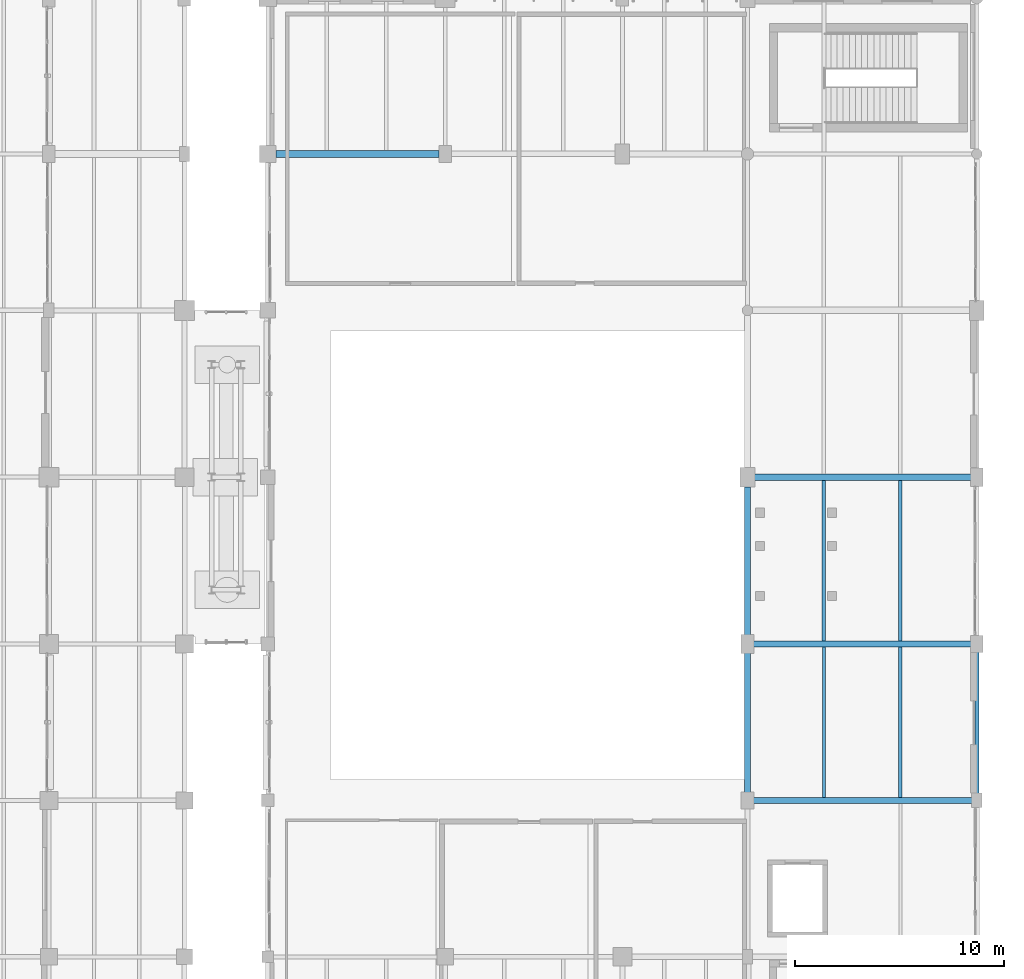
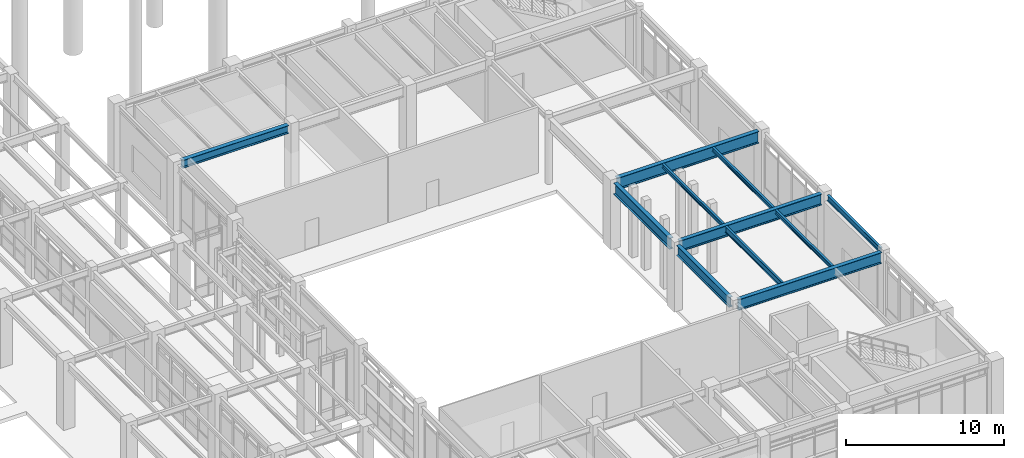
# One storey, part 117 of 203: 11 beams.
"""IFC4 building model written with IfcOpenShell, lengths in metres."""

from ifc_helpers import new_model, si_unit, direction, frame, origin, origin_2d, place, context, subcontext, project, spatial, i_section, extrude, material, material_profile, profile_set, type_object, element, save


model = new_model("IFC4")

# Units and contexts
model_context = context("Model", 3, precision=1e-05, world=origin(), true_north=direction((0.0, 1.0)))
body_context = subcontext(model_context, "Body", "Model", "MODEL_VIEW")
ifc_project = project(units=[si_unit("LENGTHUNIT", "METRE"), si_unit("AREAUNIT", "SQUARE_METRE"), si_unit("VOLUMEUNIT", "CUBIC_METRE"), si_unit("PLANEANGLEUNIT", "RADIAN"), si_unit("MASSUNIT", "GRAM", prefix="KILO"), si_unit("THERMODYNAMICTEMPERATUREUNIT", "KELVIN"), si_unit("POWERUNIT", "WATT")], contexts=[model_context])

# Site, building, storey
site_placement = place(None, origin())
site = spatial("IfcSite", under=ifc_project, at=site_placement, CompositionType="ELEMENT")
building_placement = place(site_placement, origin())
building = spatial("IfcBuilding", under=site, at=building_placement, Name="Tepalcoro Natatorium and Aquatics Centre", CompositionType="ELEMENT")
storey_placement = place(building_placement, origin())
storey = spatial("IfcBuildingStorey", under=building, at=storey_placement, Name="L00", CompositionType="ELEMENT", Elevation=0.0)

# Beams
ifc_material = material(Name="Steel ASTM A992 Grade 50 (Fy 345 MPa)", Category="steel")
ifc_material_profile_1 = material_profile(ifc_material, i_section(OverallWidth=0.324951171875, OverallDepth=0.616943359375, WebThickness=0.013916015625, FlangeThickness=0.02197265625, FilletRadius=0.013916015625, at=origin_2d()), Name="W24X117")
ifc_profile_set_1 = profile_set([ifc_material_profile_1], Name="Steel ASTM A992 Grade 50 (Fy 345 MPa)")
beam_type_1 = type_object("IfcBeamType", Name="BM_W24x117", PredefinedType="BEAM", material=ifc_profile_set_1)
beam_1_placement = place(storey_placement, frame((142.385009765625, 51.5, 4.81640625), z_axis=(1.0, 0.0, 0.0), x_axis=(0.0, 1.0, 0.0)))
element("IfcBeam", 1, at=beam_1_placement, inside=storey, type_object=beam_type_1, Name="V2 L00 Grid Girder X", PredefinedType="BEAM", context=body_context, shape_type="SweptSolid", body=[
    extrude(i_section(OverallWidth=0.324951171875, OverallDepth=0.616943359375, WebThickness=0.013916015625, FlangeThickness=0.02197265625, FilletRadius=0.013916015625, at=origin_2d()), origin(), (0.0, 0.0, 1.0), 7.830078125),
])
ifc_material_profile_2 = material_profile(ifc_material, i_section(OverallWidth=0.26708984375, OverallDepth=0.780029296875, WebThickness=0.01708984375, FlangeThickness=0.030029296875, FilletRadius=0.013916015625, at=origin_2d()), Name="W30X148")
ifc_profile_set_2 = profile_set([ifc_material_profile_2], Name="Steel ASTM A992 Grade 50 (Fy 345 MPa)")
beam_type_2 = type_object("IfcBeamType", Name="BM_W30x148", PredefinedType="BEAM", material=ifc_profile_set_2)
beam_2_placement = place(storey_placement, frame((165.0, 20.885009765625, 4.735107421875), z_axis=(0.0, 1.0, 0.0), x_axis=(-1.0, 0.0, 0.0)))
element("IfcBeam", 2, at=beam_2_placement, inside=storey, type_object=beam_type_2, Name="V2 L00 Grid Girder Y", PredefinedType="BEAM", context=body_context, shape_type="SweptSolid", body=[
    extrude(i_section(OverallWidth=0.26708984375, OverallDepth=0.780029296875, WebThickness=0.01708984375, FlangeThickness=0.030029296875, FilletRadius=0.013916015625, at=origin_2d()), origin(), (0.0, 0.0, 1.0), 6.679931640625),
])
ifc_material_profile_3 = material_profile(ifc_material, i_section(OverallWidth=0.2919921875, OverallDepth=0.845947265625, WebThickness=0.014892578125, FlangeThickness=0.02392578125, FilletRadius=0.013916015625, at=origin_2d()), Name="W33X141")
ifc_profile_set_3 = profile_set([ifc_material_profile_3], Name="Steel ASTM A992 Grade 50 (Fy 345 MPa)")
beam_type_3 = type_object("IfcBeamType", Name="BM_W33x141", PredefinedType="BEAM", material=ifc_profile_set_3)
beam_3_placement = place(storey_placement, frame((165.284912109375, 20.5, 4.701904296875), z_axis=(1.0, 0.0, 0.0), x_axis=(0.0, 1.0, 0.0)))
element("IfcBeam", 3, at=beam_3_placement, inside=storey, type_object=beam_type_3, Name="V2 L00 Grid Girder X", PredefinedType="BEAM", context=body_context, shape_type="SweptSolid", body=[
    extrude(i_section(OverallWidth=0.2919921875, OverallDepth=0.845947265625, WebThickness=0.014892578125, FlangeThickness=0.02392578125, FilletRadius=0.013916015625, at=origin_2d()), origin(), (0.0, 0.0, 1.0), 10.47998046875),
])
ifc_material_profile_4 = material_profile(ifc_material, i_section(OverallWidth=0.2919921875, OverallDepth=0.85888671875, WebThickness=0.01708984375, FlangeThickness=0.031005859375, FilletRadius=0.013916015625, at=origin_2d()), Name="W33X169")
ifc_profile_set_4 = profile_set([ifc_material_profile_4], Name="Steel ASTM A992 Grade 50 (Fy 345 MPa)")
beam_type_4 = type_object("IfcBeamType", Name="BM_W33x169", PredefinedType="BEAM", material=ifc_profile_set_4)
beam_4_placement = place(storey_placement, frame((165.284912109375, 28.0, 4.695556640625), z_axis=(1.0, 0.0, 0.0), x_axis=(0.0, 1.0, 0.0)))
element("IfcBeam", 4, at=beam_4_placement, inside=storey, type_object=beam_type_4, Name="V2 L00 Grid Girder X", PredefinedType="BEAM", context=body_context, shape_type="SweptSolid", body=[
    extrude(i_section(OverallWidth=0.2919921875, OverallDepth=0.85888671875, WebThickness=0.01708984375, FlangeThickness=0.031005859375, FilletRadius=0.013916015625, at=origin_2d()), origin(), (0.0, 0.0, 1.0), 10.43017578125),
])
beam_5_placement = place(storey_placement, frame((165.0, 28.43505859375, 4.695556640625), z_axis=(0.0, 1.0, 0.0), x_axis=(-1.0, 0.0, 0.0)))
element("IfcBeam", 5, at=beam_5_placement, inside=storey, type_object=beam_type_4, Name="V2 L00 Grid Girder Y", PredefinedType="BEAM", context=body_context, shape_type="SweptSolid", body=[
    extrude(i_section(OverallWidth=0.2919921875, OverallDepth=0.85888671875, WebThickness=0.01708984375, FlangeThickness=0.031005859375, FilletRadius=0.013916015625, at=origin_2d()), origin(), (0.0, 0.0, 1.0), 7.10498046875),
])
ifc_material_profile_5 = material_profile(ifc_material, i_section(OverallWidth=0.304931640625, OverallDepth=0.9189453125, WebThickness=0.01708984375, FlangeThickness=0.028076171875, FilletRadius=0.013916015625, at=origin_2d()), Name="W36X170")
ifc_profile_set_5 = profile_set([ifc_material_profile_5], Name="Steel ASTM A992 Grade 50 (Fy 345 MPa)")
beam_type_5 = type_object("IfcBeamType", Name="BM_W36x170", PredefinedType="BEAM", material=ifc_profile_set_5)
beam_6_placement = place(storey_placement, frame((165.3349609375, 36.0, 4.66552734375), z_axis=(1.0, 0.0, 0.0), x_axis=(0.0, 1.0, 0.0)))
element("IfcBeam", 6, at=beam_6_placement, inside=storey, type_object=beam_type_5, Name="V2 L00 Grid Girder X", PredefinedType="BEAM", context=body_context, shape_type="SweptSolid", body=[
    extrude(i_section(OverallWidth=0.304931640625, OverallDepth=0.9189453125, WebThickness=0.01708984375, FlangeThickness=0.028076171875, FilletRadius=0.013916015625, at=origin_2d()), origin(), (0.0, 0.0, 1.0), 10.380126953125),
])
ifc_material_profile_6 = material_profile(ifc_material, i_section(OverallWidth=0.1650390625, OverallDepth=0.31005859375, WebThickness=0.006103515625, FlangeThickness=0.010009765625, FilletRadius=0.013916015625, at=origin_2d()), Name="W12X26")
ifc_profile_set_6 = profile_set([ifc_material_profile_6], Name="Steel ASTM A992 Grade 50 (Fy 345 MPa)")
beam_type_6 = type_object("IfcBeamType", Name="JS_W12x26", PredefinedType="JOIST", material=ifc_profile_set_6)
beam_7_placement = place(storey_placement, frame((172.333251953125, 20.64599609375, 4.969970703125), z_axis=(0.0, 1.0, 0.0), x_axis=(-1.0, 0.0, 0.0)))
element("IfcBeam", 7, at=beam_7_placement, inside=storey, type_object=beam_type_6, Name="V2 L00 Floor Joist", PredefinedType="JOIST", context=body_context, shape_type="SweptSolid", body=[
    extrude(i_section(OverallWidth=0.1650390625, OverallDepth=0.31005859375, WebThickness=0.006103515625, FlangeThickness=0.010009765625, FilletRadius=0.013916015625, at=origin_2d()), origin(), (0.0, 0.0, 1.0), 7.2080078125),
])
beam_8_placement = place(storey_placement, frame((168.666748046875, 28.14599609375, 4.969970703125), z_axis=(0.0, 1.0, 0.0), x_axis=(-1.0, 0.0, 0.0)))
element("IfcBeam", 8, at=beam_8_placement, inside=storey, type_object=beam_type_6, Name="V2 L00 Floor Joist", PredefinedType="JOIST", context=body_context, shape_type="SweptSolid", body=[
    extrude(i_section(OverallWidth=0.1650390625, OverallDepth=0.31005859375, WebThickness=0.006103515625, FlangeThickness=0.010009765625, FilletRadius=0.013916015625, at=origin_2d()), origin(), (0.0, 0.0, 1.0), 7.701416015625),
])
ifc_material_profile_7 = material_profile(ifc_material, i_section(OverallWidth=0.1669921875, OverallDepth=0.318115234375, WebThickness=0.008056640625, FlangeThickness=0.012939453125, FilletRadius=0.013916015625, at=origin_2d()), Name="W12X35")
ifc_profile_set_7 = profile_set([ifc_material_profile_7], Name="Steel ASTM A992 Grade 50 (Fy 345 MPa)")
beam_type_7 = type_object("IfcBeamType", Name="JS_W12x35", PredefinedType="JOIST", material=ifc_profile_set_7)
beam_9_placement = place(storey_placement, frame((172.333251953125, 28.14599609375, 4.966064453125), z_axis=(0.0, 1.0, 0.0), x_axis=(-1.0, 0.0, 0.0)))
element("IfcBeam", 9, at=beam_9_placement, inside=storey, type_object=beam_type_7, Name="V2 L00 Floor Joist", PredefinedType="JOIST", context=body_context, shape_type="SweptSolid", body=[
    extrude(i_section(OverallWidth=0.1669921875, OverallDepth=0.318115234375, WebThickness=0.008056640625, FlangeThickness=0.012939453125, FilletRadius=0.013916015625, at=origin_2d()), origin(), (0.0, 0.0, 1.0), 7.701416015625),
])
ifc_material_profile_8 = material_profile(ifc_material, i_section(OverallWidth=0.153076171875, OverallDepth=0.455078125, WebThickness=0.008056640625, FlangeThickness=0.012939453125, FilletRadius=0.013916015625, at=origin_2d()), Name="W18X40")
ifc_profile_set_8 = profile_set([ifc_material_profile_8], Name="Steel ASTM A992 Grade 50 (Fy 345 MPa)")
beam_type_8 = type_object("IfcBeamType", Name="JS_W18x40", PredefinedType="JOIST", material=ifc_profile_set_8)
beam_10_placement = place(storey_placement, frame((168.666748046875, 20.64599609375, 4.8974609375), z_axis=(0.0, 1.0, 0.0), x_axis=(-1.0, 0.0, 0.0)))
element("IfcBeam", 10, at=beam_10_placement, inside=storey, type_object=beam_type_8, Name="V2 L00 Floor Joist", PredefinedType="JOIST", context=body_context, shape_type="SweptSolid", body=[
    extrude(i_section(OverallWidth=0.153076171875, OverallDepth=0.455078125, WebThickness=0.008056640625, FlangeThickness=0.012939453125, FilletRadius=0.013916015625, at=origin_2d()), origin(), (0.0, 0.0, 1.0), 7.2080078125),
])
ifc_material_profile_9 = material_profile(ifc_material, i_section(OverallWidth=0.179931640625, OverallDepth=0.4130859375, WebThickness=0.010009765625, FlangeThickness=0.01611328125, FilletRadius=0.013916015625, at=origin_2d()), Name="W16X50")
ifc_profile_set_9 = profile_set([ifc_material_profile_9], Name="Steel ASTM A992 Grade 50 (Fy 345 MPa)")
beam_type_9 = type_object("IfcBeamType", Name="SP_HSS300x200x12", PredefinedType="SPANDREL", material=ifc_profile_set_9)
beam_11_placement = place(storey_placement, frame((176.0, 20.8349609375, 4.91845703125), z_axis=(0.0, 1.0, 0.0), x_axis=(-1.0, 0.0, 0.0)))
element("IfcBeam", 11, at=beam_11_placement, inside=storey, type_object=beam_type_9, Name="V2 L00 Grid Girder Y", PredefinedType="SPANDREL", context=body_context, shape_type="SweptSolid", body=[
    extrude(i_section(OverallWidth=0.179931640625, OverallDepth=0.4130859375, WebThickness=0.010009765625, FlangeThickness=0.01611328125, FilletRadius=0.013916015625, at=origin_2d()), origin(), (0.0, 0.0, 1.0), 6.780029296875),
])

save(model, "model.ifc")
